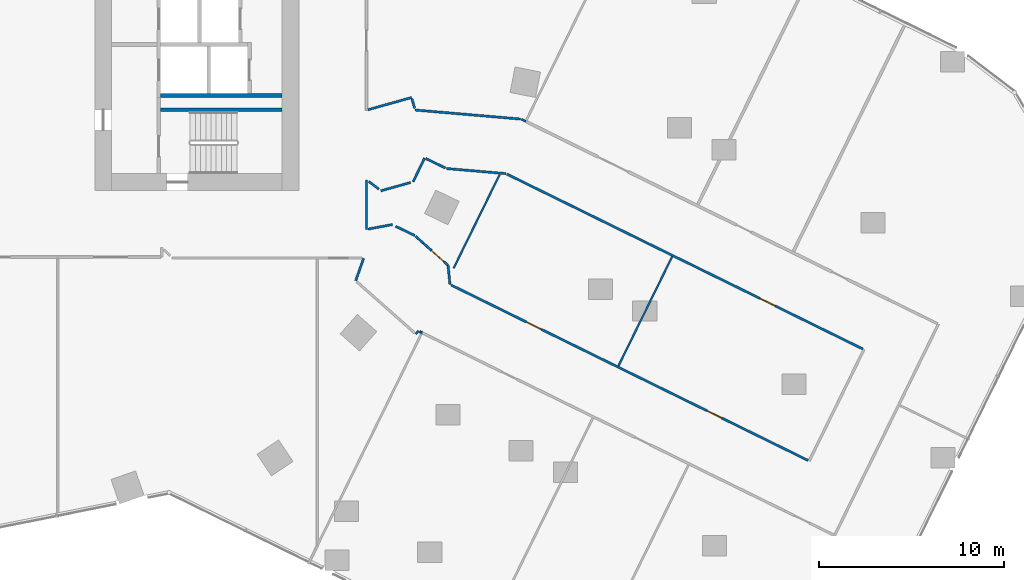
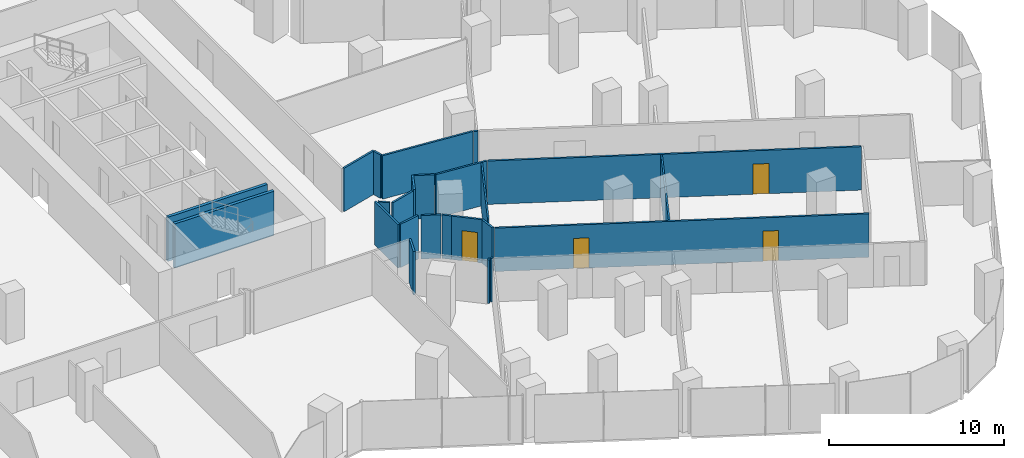
# One storey, part 30 of 38: 24 walls, 4 doors, 4 openings.
"""IFC4 building model written with IfcOpenShell, lengths in metres."""

from ifc_helpers import new_model, si_unit, direction, frame, frame_2d, origin, place, context, subcontext, project, spatial, rectangle, extrude, material, layer, layer_set, type_object, element, fill, save


model = new_model("IFC4")

# Units and contexts
model_context = context("Model", 3, precision=1e-05, world=origin(), true_north=direction((0.0, 1.0)))
body_context = subcontext(model_context, "Body", "Model", "MODEL_VIEW")
ifc_project = project(units=[si_unit("LENGTHUNIT", "METRE"), si_unit("AREAUNIT", "SQUARE_METRE"), si_unit("VOLUMEUNIT", "CUBIC_METRE"), si_unit("PLANEANGLEUNIT", "RADIAN"), si_unit("MASSUNIT", "GRAM", prefix="KILO")], contexts=[model_context])

# Site, building, storey
site_placement = place(None, origin())
site = spatial("IfcSite", under=ifc_project, at=site_placement, CompositionType="ELEMENT")
building_placement = place(site_placement, origin())
building = spatial("IfcBuilding", under=site, at=building_placement, Name="Orlundy Tower", CompositionType="ELEMENT")
storey_placement = place(building_placement, frame((0.0, 0.0, 69.300048828125)))
storey = spatial("IfcBuildingStorey", under=building, at=storey_placement, Name="L16", CompositionType="ELEMENT", Elevation=69.300048828125)

# Walls
ifc_material_1 = material(Name="Gypsum board partition")
ifc_layer_1 = layer(ifc_material_1, 0.10009765625)
ifc_layer_set_1 = layer_set([ifc_layer_1], Name="Floor partition 100")
wall_type_1 = type_object("IfcWallType", Name="Floor partition 100", PredefinedType="PARTITIONING", material=ifc_layer_set_1)
wall_1_placement = place(storey_placement, frame((36.24609375, -21.471923828125, 0.0), z_axis=(0.0, 0.0, 1.0), x_axis=(0.440934319879, 0.897539372703, 0.0)))
element("IfcWall", 1, at=wall_1_placement, inside=storey, type_object=wall_type_1, Name="wall-int-L16-075", PredefinedType="PARTITIONING", context=body_context, shape_type="SweptSolid", body=[
    extrude(rectangle(XDim=6.574462890625, YDim=0.10009765625, at=frame_2d((3.287109375, 0.0))), origin(), (0.0, 0.0, 1.0), 3.030029296875),
])
wall_2_placement = place(storey_placement, frame((27.34912109375, -16.2060546875, 0.0), z_axis=(0.0, 0.0, 1.0), x_axis=(0.441071560189, 0.897471937607, 0.0)))
element("IfcWall", 2, at=wall_2_placement, inside=storey, type_object=wall_type_1, Name="wall-int-L16-078", PredefinedType="PARTITIONING", context=body_context, shape_type="SweptSolid", body=[
    extrude(rectangle(XDim=5.63818359375, YDim=0.10009765625, at=frame_2d((2.819091796875, 0.0))), origin(), (0.0, 0.0, 1.0), 3.030029296875),
])
ifc_material_2 = material(Name="Gypsum board partition, double layer")
ifc_layer_2 = layer(ifc_material_2, 0.125)
ifc_layer_set_2 = layer_set([ifc_layer_2], Name="Floor partition 125")
wall_type_2 = type_object("IfcWallType", Name="Floor partition 125", PredefinedType="PARTITIONING", material=ifc_layer_set_2)
wall_3_placement = place(storey_placement, frame((25.10400390625, -7.048095703125, 0.0), z_axis=(0.0, 0.0, 1.0), x_axis=(0.268702664175, -0.963223171578, 0.0)))
element("IfcWall", 3, at=wall_3_placement, inside=storey, type_object=wall_type_2, Name="wall-int-L16-002", PredefinedType="PARTITIONING", context=body_context, shape_type="SweptSolid", body=[
    extrude(rectangle(XDim=0.546875, YDim=0.125, at=frame_2d((0.2734375, 0.0))), origin(), (0.0, 0.0, 1.0), 3.030029296875),
])

# Wall, opening, door
wall_4_placement = place(storey_placement, frame((25.719970703125, -14.84912109375, 0.0), z_axis=(0.0, 0.0, 1.0), x_axis=(0.744891794115, -0.667185292899, 0.0)))
wall_4 = element("IfcWall", 4, at=wall_4_placement, inside=storey, type_object=wall_type_2, Name="wall-int-L16-007", PredefinedType="PARTITIONING", context=body_context, shape_type="SweptSolid", body=[
    extrude(rectangle(XDim=1.790771484375, YDim=0.125, at=frame_2d((0.8955078125, 0.0))), origin(), (0.0, 0.0, 1.0), 3.030029296875),
])
opening_1_placement = place(wall_4_placement, frame((0.60009765625, 0.0, 0.0)))
opening_1 = element("IfcOpeningElement", 5, at=opening_1_placement, cuts=wall_4, Name="Opening 14130", PredefinedType="OPENING", context=body_context, shape_type="SweptSolid", body=[
    extrude(rectangle(XDim=0.89990234375, YDim=2.10009765625, at=frame_2d((0.449951171875, 1.050048828125))), frame((0.0, 0.072509765625, 0.0), z_axis=(0.0, -1.0, 0.0), x_axis=(1.0, 0.0, 0.0)), (0.0, 0.0, 1.0), 0.14501953125),
])
ifc_material_3 = material(Name="Timber door leaf", Category="wood")
door_type = type_object("IfcDoorType", Name="Floor door single 900 FD30S", OperationType="NOTDEFINED", PredefinedType="DOOR", material=ifc_material_3)
door_1_placement = place(opening_1_placement, origin())
door_1 = element("IfcDoor", 6, at=door_1_placement, inside=storey, type_object=door_type, Name="Door 14130", OperationType="SINGLE_SWING_RIGHT", OverallHeight=2.10009765625, OverallWidth=0.89990234375, PredefinedType="DOOR", context=body_context, shape_type="SweptSolid", body=[
    extrude(rectangle(XDim=0.89990234375, YDim=2.10009765625, at=frame_2d((0.449951171875, 1.050048828125))), frame((0.0, 0.02490234375, 0.0), z_axis=(0.0, -1.0, 0.0), x_axis=(1.0, 0.0, 0.0)), (0.0, 0.0, 1.0), 0.050048828125),
])
fill(opening_1, door_1)

# Walls
wall_5_placement = place(storey_placement, frame((25.302001953125, -14.47509765625, 0.0), z_axis=(0.0, 0.0, 1.0), x_axis=(0.745195775022, -0.666845751947, 0.0)))
element("IfcWall", 7, at=wall_5_placement, inside=storey, type_object=wall_type_2, Name="wall-int-L16-008", PredefinedType="PARTITIONING", context=body_context, shape_type="SweptSolid", body=[
    extrude(rectangle(XDim=0.560791015625, YDim=0.125, at=frame_2d((0.2802734375, 0.0))), origin(), (0.0, 0.0, 1.0), 3.030029296875),
])
wall_6_placement = place(storey_placement, frame((22.76806640625, -11.513916015625, 0.0), z_axis=(0.0, 0.0, 1.0), x_axis=(0.797092148154, -0.603857687995, 0.0)))
element("IfcWall", 8, at=wall_6_placement, inside=storey, type_object=wall_type_2, Name="wall-int-L16-025", PredefinedType="PARTITIONING", context=body_context, shape_type="SweptSolid", body=[
    extrude(rectangle(XDim=0.687255859375, YDim=0.125, at=frame_2d((0.34375, 0.0))), origin(), (0.0, 0.0, 1.0), 3.030029296875),
])
wall_7_placement = place(storey_placement, frame((25.532958984375, -19.62109375, 0.0), z_axis=(0.0, 0.0, 1.0), x_axis=(0.896388597083, -0.44326908647, 0.0)))
element("IfcWall", 9, at=wall_7_placement, inside=storey, type_object=wall_type_2, Name="wall-int-L16-027", PredefinedType="PARTITIONING", context=body_context, shape_type="SweptSolid", body=[
    extrude(rectangle(XDim=0.1240234375, YDim=0.125, at=frame_2d((0.06201171875, 0.0))), origin(), (0.0, 0.0, 1.0), 3.030029296875),
])

# Wall, openings, doors
wall_8_placement = place(storey_placement, frame((27.22802734375, -17.110107421875, 0.0), z_axis=(0.0, 0.0, 1.0), x_axis=(0.897483206538, -0.441048629952, 0.0)))
wall_8 = element("IfcWall", 10, at=wall_8_placement, inside=storey, type_object=wall_type_2, Name="wall-int-L16-029", PredefinedType="PARTITIONING", context=body_context, shape_type="SweptSolid", body=[
    extrude(rectangle(XDim=21.453125, YDim=0.125, at=frame_2d((10.7265625, 0.0))), origin(), (0.0, 0.0, 1.0), 3.030029296875),
])
opening_2_placement = place(wall_8_placement, frame((4.517578125, 0.0, 0.0)))
opening_2 = element("IfcOpeningElement", 11, at=opening_2_placement, cuts=wall_8, Name="Opening 14101", PredefinedType="OPENING", context=body_context, shape_type="SweptSolid", body=[
    extrude(rectangle(XDim=0.89990234375, YDim=2.10009765625, at=frame_2d((0.449951171875, 1.050048828125))), frame((0.0, 0.072509765625, 0.0), z_axis=(0.0, -1.0, 0.0), x_axis=(1.0, 0.0, 0.0)), (0.0, 0.0, 1.0), 0.14501953125),
])
opening_3_placement = place(wall_8_placement, frame((15.36669921875, 0.0, 0.0)))
opening_3 = element("IfcOpeningElement", 12, at=opening_3_placement, cuts=wall_8, Name="Opening 14104", PredefinedType="OPENING", context=body_context, shape_type="SweptSolid", body=[
    extrude(rectangle(XDim=0.89990234375, YDim=2.10009765625, at=frame_2d((0.449951171875, 1.050048828125))), frame((0.0, 0.072509765625, 0.0), z_axis=(0.0, -1.0, 0.0), x_axis=(1.0, 0.0, 0.0)), (0.0, 0.0, 1.0), 0.14501953125),
])
door_2_placement = place(opening_2_placement, origin())
door_2 = element("IfcDoor", 13, at=door_2_placement, inside=storey, type_object=door_type, Name="Door 14101", OperationType="SINGLE_SWING_LEFT", OverallHeight=2.10009765625, OverallWidth=0.89990234375, PredefinedType="DOOR", context=body_context, shape_type="SweptSolid", body=[
    extrude(rectangle(XDim=0.89990234375, YDim=2.10009765625, at=frame_2d((0.449951171875, 1.050048828125))), frame((0.0, 0.02490234375, 0.0), z_axis=(0.0, -1.0, 0.0), x_axis=(1.0, 0.0, 0.0)), (0.0, 0.0, 1.0), 0.050048828125),
])
fill(opening_2, door_2)
door_3_placement = place(opening_3_placement, origin())
door_3 = element("IfcDoor", 14, at=door_3_placement, inside=storey, type_object=door_type, Name="Door 14104", OperationType="SINGLE_SWING_RIGHT", OverallHeight=2.10009765625, OverallWidth=0.89990234375, PredefinedType="DOOR", context=body_context, shape_type="SweptSolid", body=[
    extrude(rectangle(XDim=0.89990234375, YDim=2.10009765625, at=frame_2d((0.449951171875, 1.050048828125))), frame((0.0, 0.02490234375, 0.0), z_axis=(0.0, -1.0, 0.0), x_axis=(1.0, 0.0, 0.0)), (0.0, 0.0, 1.0), 0.050048828125),
])
fill(opening_3, door_3)

# Wall, opening, door
wall_9_placement = place(storey_placement, frame((49.43798828125, -20.55810546875, 0.0), z_axis=(0.0, 0.0, 1.0), x_axis=(-0.897535791299, 0.440941609896, 0.0)))
wall_9 = element("IfcWall", 15, at=wall_9_placement, inside=storey, type_object=wall_type_2, Name="wall-int-L16-031", PredefinedType="PARTITIONING", context=body_context, shape_type="SweptSolid", body=[
    extrude(rectangle(XDim=21.399658203125, YDim=0.125, at=frame_2d((10.69970703125, 0.0))), origin(), (0.0, 0.0, 1.0), 3.030029296875),
])
opening_4_placement = place(wall_9_placement, frame((5.28759765625, 0.0, 0.0)))
opening_4 = element("IfcOpeningElement", 16, at=opening_4_placement, cuts=wall_9, Name="Opening 14105", PredefinedType="OPENING", context=body_context, shape_type="SweptSolid", body=[
    extrude(rectangle(XDim=0.89990234375, YDim=2.10009765625, at=frame_2d((0.449951171875, 1.050048828125))), frame((0.0, 0.072509765625, 0.0), z_axis=(0.0, -1.0, 0.0), x_axis=(1.0, 0.0, 0.0)), (0.0, 0.0, 1.0), 0.14501953125),
])
door_4_placement = place(opening_4_placement, origin())
door_4 = element("IfcDoor", 17, at=door_4_placement, inside=storey, type_object=door_type, Name="Door 14105", OperationType="SINGLE_SWING_LEFT", OverallHeight=2.10009765625, OverallWidth=0.89990234375, PredefinedType="DOOR", context=body_context, shape_type="SweptSolid", body=[
    extrude(rectangle(XDim=0.89990234375, YDim=2.10009765625, at=frame_2d((0.449951171875, 1.050048828125))), frame((0.0, 0.02490234375, 0.0), z_axis=(0.0, -1.0, 0.0), x_axis=(1.0, 0.0, 0.0)), (0.0, 0.0, 1.0), 0.050048828125),
])
fill(opening_4, door_4)

# Walls
wall_10_placement = place(storey_placement, frame((31.007080078125, -8.158935546875, 0.0), z_axis=(0.0, 0.0, 1.0), x_axis=(0.898247549427, -0.439489863305, 0.0)))
element("IfcWall", 18, at=wall_10_placement, inside=storey, type_object=wall_type_2, Name="wall-int-L16-035", PredefinedType="PARTITIONING", context=body_context, shape_type="SweptSolid", body=[
    extrude(rectangle(XDim=0.26611328125, YDim=0.125, at=frame_2d((0.133056640625, 0.0))), origin(), (0.0, 0.0, 1.0), 3.030029296875),
])
wall_11_placement = place(storey_placement, frame((24.219970703125, -13.93310546875, 0.0), z_axis=(0.0, 0.0, 1.0), x_axis=(0.900419681582, -0.435022294853, 0.0)))
element("IfcWall", 19, at=wall_11_placement, inside=storey, type_object=wall_type_2, Name="wall-int-L16-036", PredefinedType="PARTITIONING", context=body_context, shape_type="SweptSolid", body=[
    extrude(rectangle(XDim=1.1494140625, YDim=0.125, at=frame_2d((0.57470703125, 0.0))), origin(), (0.0, 0.0, 1.0), 3.030029296875),
])
wall_12_placement = place(storey_placement, frame((25.844970703125, -10.27587890625, 0.0), z_axis=(0.0, 0.0, 1.0), x_axis=(0.900044500098, -0.435798001193, 0.0)))
element("IfcWall", 20, at=wall_12_placement, inside=storey, type_object=wall_type_2, Name="wall-int-L16-037", PredefinedType="PARTITIONING", context=body_context, shape_type="SweptSolid", body=[
    extrude(rectangle(XDim=1.184326171875, YDim=0.125, at=frame_2d((0.59228515625, 0.0))), origin(), (0.0, 0.0, 1.0), 3.030029296875),
])
wall_13_placement = place(storey_placement, frame((26.967041015625, -10.819091796875, 0.0), z_axis=(0.0, 0.0, 1.0), x_axis=(0.99634849222, -0.085379634874, 0.0)))
element("IfcWall", 21, at=wall_13_placement, inside=storey, type_object=wall_type_2, Name="wall-int-L16-042", PredefinedType="PARTITIONING", context=body_context, shape_type="SweptSolid", body=[
    extrude(rectangle(XDim=3.2197265625, YDim=0.125, at=frame_2d((1.60986328125, 0.0))), origin(), (0.0, 0.0, 1.0), 3.030029296875),
])
wall_14_placement = place(storey_placement, frame((25.27490234375, -7.662109375, 0.0), z_axis=(0.0, 0.0, 1.0), x_axis=(0.996348730604, -0.085376852979, 0.0)))
element("IfcWall", 22, at=wall_14_placement, inside=storey, type_object=wall_type_2, Name="wall-int-L16-043", PredefinedType="PARTITIONING", context=body_context, shape_type="SweptSolid", body=[
    extrude(rectangle(XDim=5.701904296875, YDim=0.125, at=frame_2d((2.85107421875, 0.0))), origin(), (0.0, 0.0, 1.0), 3.030029296875),
])
wall_15_placement = place(storey_placement, frame((22.72900390625, -14.087890625, 0.0), z_axis=(0.0, 0.0, 1.0), x_axis=(0.983144472478, 0.182830375584, 0.0)))
element("IfcWall", 23, at=wall_15_placement, inside=storey, type_object=wall_type_2, Name="wall-int-L16-055", PredefinedType="PARTITIONING", context=body_context, shape_type="SweptSolid", body=[
    extrude(rectangle(XDim=1.3447265625, YDim=0.125, at=frame_2d((0.67236328125, 0.0))), origin(), (0.0, 0.0, 1.0), 3.030029296875),
])
wall_16_placement = place(storey_placement, frame((23.427978515625, -12.02099609375, 0.0), z_axis=(0.0, 0.0, 1.0), x_axis=(0.963114320188, 0.269092560745, 0.0)))
element("IfcWall", 24, at=wall_16_placement, inside=storey, type_object=wall_type_2, Name="wall-int-L16-056", PredefinedType="PARTITIONING", context=body_context, shape_type="SweptSolid", body=[
    extrude(rectangle(XDim=1.66845703125, YDim=0.125, at=frame_2d((0.834228515625, 0.0))), origin(), (0.0, 0.0, 1.0), 3.030029296875),
])
wall_17_placement = place(storey_placement, frame((22.72998046875, -7.64697265625, 0.0), z_axis=(0.0, 0.0, 1.0), x_axis=(0.9630417148, 0.269352288937, 0.0)))
element("IfcWall", 25, at=wall_17_placement, inside=storey, type_object=wall_type_2, Name="wall-int-L16-057", PredefinedType="PARTITIONING", context=body_context, shape_type="SweptSolid", body=[
    extrude(rectangle(XDim=2.4462890625, YDim=0.125, at=frame_2d((1.22314453125, 0.0))), origin(), (0.0, 0.0, 1.0), 3.030029296875),
])
wall_18_placement = place(storey_placement, frame((27.154052734375, -17.073974609375, 0.0), z_axis=(0.0, 0.0, 1.0), x_axis=(-0.09672377766, 0.995311263292, 0.0)))
element("IfcWall", 26, at=wall_18_placement, inside=storey, type_object=wall_type_2, Name="wall-int-L16-062", PredefinedType="PARTITIONING", context=body_context, shape_type="SweptSolid", body=[
    extrude(rectangle(XDim=1.034912109375, YDim=0.125, at=frame_2d((0.517578125, 0.0))), origin(), (0.0, 0.0, 1.0), 3.030029296875),
])
wall_19_placement = place(storey_placement, frame((25.31396484375, -19.7470703125, 0.0), z_axis=(0.0, 0.0, 1.0), x_axis=(0.666729237328, 0.745300022872, 0.0)))
element("IfcWall", 27, at=wall_19_placement, inside=storey, type_object=wall_type_2, Name="wall-int-L16-063", PredefinedType="PARTITIONING", context=body_context, shape_type="SweptSolid", body=[
    extrude(rectangle(XDim=0.217529296875, YDim=0.125, at=frame_2d((0.10888671875, 0.0))), origin(), (0.0, 0.0, 1.0), 3.030029296875),
])
wall_20_placement = place(storey_placement, frame((25.16796875, -11.533935546875, 0.0), z_axis=(0.0, 0.0, 1.0), x_axis=(0.435198706136, 0.900334430186, 0.0)))
element("IfcWall", 28, at=wall_20_placement, inside=storey, type_object=wall_type_2, Name="wall-int-L16-081", PredefinedType="PARTITIONING", context=body_context, shape_type="SweptSolid", body=[
    extrude(rectangle(XDim=1.42724609375, YDim=0.125, at=frame_2d((0.713623046875, 0.0))), origin(), (0.0, 0.0, 1.0), 3.030029296875),
])
wall_21_placement = place(storey_placement, frame((22.072021484375, -16.867919921875, 0.0), z_axis=(0.0, 0.0, 1.0), x_axis=(0.332590805705, 0.943071235889, 0.0)))
element("IfcWall", 29, at=wall_21_placement, inside=storey, type_object=wall_type_2, Name="wall-int-L16-086", PredefinedType="PARTITIONING", context=body_context, shape_type="SweptSolid", body=[
    extrude(rectangle(XDim=1.281005859375, YDim=0.125, at=frame_2d((0.640625, 0.0))), origin(), (0.0, 0.0, 1.0), 3.030029296875),
])
wall_22_placement = place(storey_placement, frame((22.65087890625, -14.10302734375, 0.0), z_axis=(0.0, 0.0, 1.0), x_axis=(0.0, 1.0, 0.0)))
element("IfcWall", 30, at=wall_22_placement, inside=storey, type_object=wall_type_2, Name="wall-int-L16-091", PredefinedType="PARTITIONING", context=body_context, shape_type="SweptSolid", body=[
    extrude(rectangle(XDim=2.671142578125, YDim=0.125, at=frame_2d((1.33544921875, 0.0))), origin(), (0.0, 0.0, 1.0), 3.030029296875),
])
ifc_material_4 = material(Name="Concrete C40/50", Category="concrete")
ifc_layer_3 = layer(ifc_material_4, 0.199951171875)
ifc_layer_set_3 = layer_set([ifc_layer_3], Name="Load-bearing Shaft Wall 200")
wall_type_3 = type_object("IfcWallType", Name="Load-bearing Shaft Wall 200", PredefinedType="SOLIDWALL", material=ifc_layer_set_3)
wall_23_placement = place(storey_placement, frame((11.5400390625, -7.64990234375, 0.0), z_axis=(0.0, 0.0, 1.0), x_axis=(1.0, 0.0, 0.0)))
element("IfcWall", 31, at=wall_23_placement, inside=storey, type_object=wall_type_3, Name="Shaft wall E14-stair-side-n", PredefinedType="SOLIDWALL", context=body_context, shape_type="SweptSolid", body=[
    extrude(rectangle(XDim=6.56005859375, YDim=0.199951171875, at=frame_2d((3.280029296875, 0.0))), origin(), (0.0, 0.0, 1.0), 3.08984375),
])
ifc_material_5 = material(Name="Fire-rated blockwork shaft wall", Category="masonry")
ifc_layer_4 = layer(ifc_material_5, 0.199951171875)
ifc_layer_set_4 = layer_set([ifc_layer_4], Name="Shaft Wall 200")
wall_type_4 = type_object("IfcWallType", Name="Shaft Wall 200", PredefinedType="SOLIDWALL", material=ifc_layer_set_4)
wall_24_placement = place(storey_placement, frame((11.5400390625, -6.875, 0.0), z_axis=(0.0, 0.0, 1.0), x_axis=(1.0, 0.0, 0.0)))
element("IfcWall", 32, at=wall_24_placement, inside=storey, type_object=wall_type_4, Name="Shaft wall E14-zone-n", PredefinedType="SOLIDWALL", context=body_context, shape_type="SweptSolid", body=[
    extrude(rectangle(XDim=6.56005859375, YDim=0.199951171875, at=frame_2d((3.280029296875, 0.0))), origin(), (0.0, 0.0, 1.0), 3.08984375),
])

save(model, "model.ifc")
